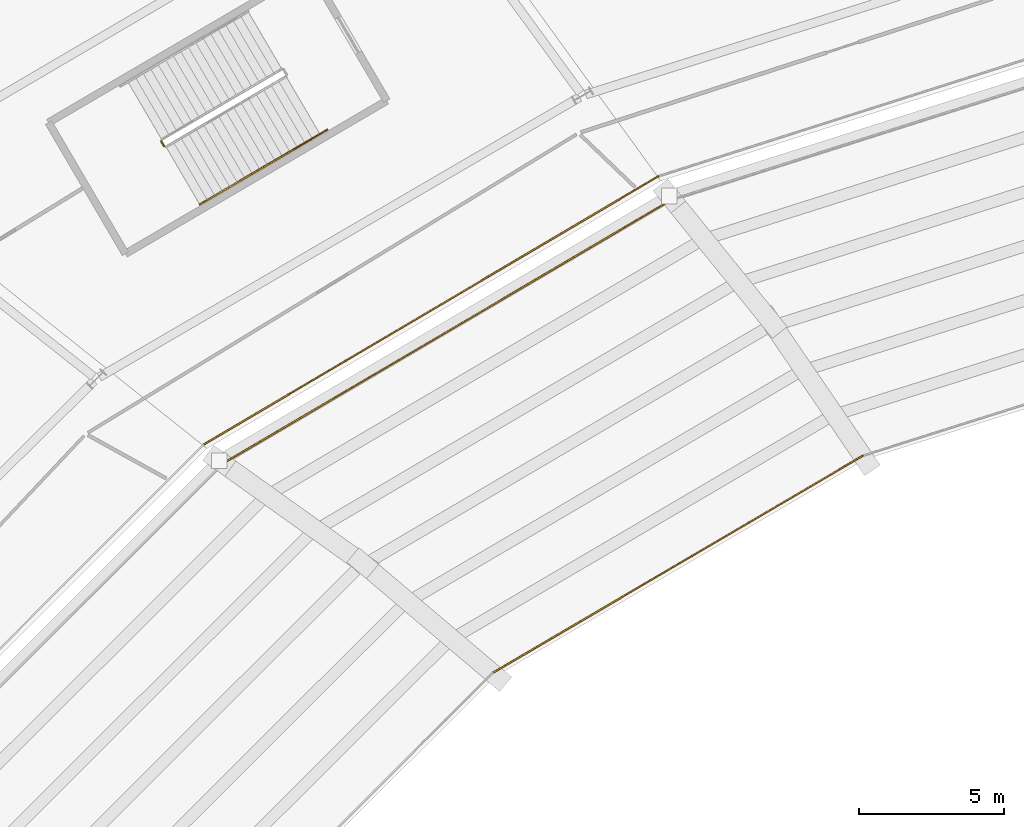
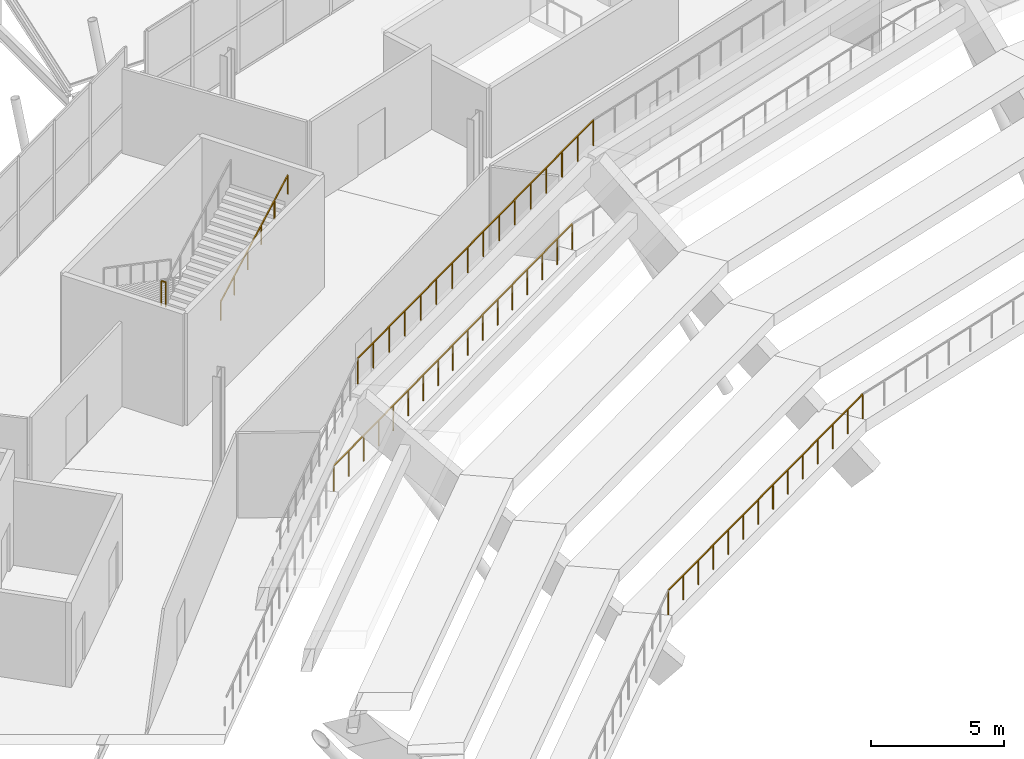
# One storey, part 115 of 126: 5 railings.
"""IFC4 building model written with IfcOpenShell, lengths in metres."""

from ifc_helpers import new_model, si_unit, direction, frame, origin, origin_2d, place, context, subcontext, project, spatial, rectangle, extrude, material, type_object, element, save


model = new_model("IFC4")

# Units and contexts
model_context = context("Model", 3, precision=1e-05, world=origin(), true_north=direction((0.0, 1.0)))
body_context = subcontext(model_context, "Body", "Model", "MODEL_VIEW")
ifc_project = project(units=[si_unit("LENGTHUNIT", "METRE"), si_unit("AREAUNIT", "SQUARE_METRE"), si_unit("VOLUMEUNIT", "CUBIC_METRE"), si_unit("PLANEANGLEUNIT", "RADIAN"), si_unit("MASSUNIT", "GRAM", prefix="KILO")], contexts=[model_context])

# Site, building, storey
site_placement = place(None, origin())
site = spatial("IfcSite", under=ifc_project, at=site_placement, CompositionType="ELEMENT")
building_placement = place(site_placement, origin())
building = spatial("IfcBuilding", under=site, at=building_placement, Name="Zlatoyarsky Gate Stadium", CompositionType="ELEMENT")
storey_placement = place(building_placement, frame((0.0, 0.0, 20.800048828125)))
storey = spatial("IfcBuildingStorey", under=building, at=storey_placement, Name="L04", CompositionType="ELEMENT", Elevation=20.800048828125)

# Railings
ifc_material_1 = material(Name="Galvanised steel sightline guardrail", Category="steel")
railing_type_1 = type_object("IfcRailingType", Name="BOWL FRONT SIGHTLINE GUARDRAIL 1150", PredefinedType="GUARDRAIL", material=ifc_material_1)
railing_1_placement = place(storey_placement, frame((80.175048828125, 120.8330078125, -4.400146484375)))
element("IfcRailing", 1, at=railing_1_placement, inside=storey, type_object=railing_type_1, Name="Upper bowl front guardrail 08", PredefinedType="GUARDRAIL", context=body_context, shape_type="SweptSolid", body=[
    extrude(rectangle(XDim=0.048095703125, YDim=0.048095703125, at=origin_2d()), frame((0.0, 0.0, 1.1259765625), z_axis=(-0.862456472838, -0.506131240351, 0.0), x_axis=(0.506131240351, -0.862456472838, 0.0)), (0.0, 0.0, 1.0), 14.80419921875),
    extrude(rectangle(XDim=0.0419921875, YDim=0.0419921875, at=origin_2d()), origin(), (0.0, 0.0, 1.0), 1.101806640625),
    extrude(rectangle(XDim=0.0419921875, YDim=0.0419921875, at=origin_2d()), frame((-0.982177734375, -0.576416015625, 0.0)), (0.0, 0.0, 1.0), 1.101806640625),
    extrude(rectangle(XDim=0.0419921875, YDim=0.0419921875, at=origin_2d()), frame((-1.96435546875, -1.15283203125, 0.0)), (0.0, 0.0, 1.0), 1.101806640625),
    extrude(rectangle(XDim=0.0419921875, YDim=0.0419921875, at=origin_2d()), frame((-2.946533203125, -1.729248046875, 0.0)), (0.0, 0.0, 1.0), 1.101806640625),
    extrude(rectangle(XDim=0.0419921875, YDim=0.0419921875, at=origin_2d()), frame((-3.9287109375, -2.305419921875, 0.0)), (0.0, 0.0, 1.0), 1.101806640625),
    extrude(rectangle(XDim=0.0419921875, YDim=0.0419921875, at=origin_2d()), frame((-4.910888671875, -2.8818359375, 0.0)), (0.0, 0.0, 1.0), 1.101806640625),
    extrude(rectangle(XDim=0.0419921875, YDim=0.0419921875, at=origin_2d()), frame((-5.89306640625, -3.458251953125, 0.0)), (0.0, 0.0, 1.0), 1.101806640625),
    extrude(rectangle(XDim=0.0419921875, YDim=0.0419921875, at=origin_2d()), frame((-6.875, -4.03466796875, 0.0)), (0.0, 0.0, 1.0), 1.101806640625),
    extrude(rectangle(XDim=0.0419921875, YDim=0.0419921875, at=origin_2d()), frame((-7.857177734375, -4.611083984375, 0.0)), (0.0, 0.0, 1.0), 1.101806640625),
    extrude(rectangle(XDim=0.0419921875, YDim=0.0419921875, at=origin_2d()), frame((-8.83935546875, -5.1875, 0.0)), (0.0, 0.0, 1.0), 1.101806640625),
    extrude(rectangle(XDim=0.0419921875, YDim=0.0419921875, at=origin_2d()), frame((-9.821533203125, -5.763671875, 0.0)), (0.0, 0.0, 1.0), 1.101806640625),
    extrude(rectangle(XDim=0.0419921875, YDim=0.0419921875, at=origin_2d()), frame((-10.8037109375, -6.340087890625, 0.0)), (0.0, 0.0, 1.0), 1.101806640625),
    extrude(rectangle(XDim=0.0419921875, YDim=0.0419921875, at=origin_2d()), frame((-11.785888671875, -6.91650390625, 0.0)), (0.0, 0.0, 1.0), 1.101806640625),
    extrude(rectangle(XDim=0.0419921875, YDim=0.0419921875, at=origin_2d()), frame((-12.76806640625, -7.492919921875, 0.0)), (0.0, 0.0, 1.0), 1.101806640625),
])
ifc_material_2 = material(Name="Powder-coated steel tubular guardrail", Category="steel")
railing_type_2 = type_object("IfcRailingType", Name="CONCOURSE SLAB EDGE GUARDRAIL 1200", PredefinedType="GUARDRAIL", material=ifc_material_2)
railing_2_placement = place(storey_placement, frame((73.574951171875, 129.66650390625, 5.099853515625)))
element("IfcRailing", 2, at=railing_2_placement, inside=storey, type_object=railing_type_2, Name="Upper bowl back guardrail 08", PredefinedType="GUARDRAIL", context=body_context, shape_type="SweptSolid", body=[
    extrude(rectangle(XDim=0.048095703125, YDim=0.048095703125, at=origin_2d()), frame((0.0, 0.0, 1.17578125), z_axis=(-0.862050412529, -0.506822539217, 0.0), x_axis=(0.506822539217, -0.862050412529, 0.0)), (0.0, 0.0, 1.0), 17.982666015625),
    extrude(rectangle(XDim=0.0419921875, YDim=0.0419921875, at=origin_2d()), origin(), (0.0, 0.0, 1.0), 1.15185546875),
    extrude(rectangle(XDim=0.0419921875, YDim=0.0419921875, at=origin_2d()), frame((-1.033447265625, -0.607666015625, 0.0)), (0.0, 0.0, 1.0), 1.15185546875),
    extrude(rectangle(XDim=0.0419921875, YDim=0.0419921875, at=origin_2d()), frame((-2.06689453125, -1.215087890625, 0.0)), (0.0, 0.0, 1.0), 1.15185546875),
    extrude(rectangle(XDim=0.0419921875, YDim=0.0419921875, at=origin_2d()), frame((-3.100341796875, -1.82275390625, 0.0)), (0.0, 0.0, 1.0), 1.15185546875),
    extrude(rectangle(XDim=0.0419921875, YDim=0.0419921875, at=origin_2d()), frame((-4.1337890625, -2.430419921875, 0.0)), (0.0, 0.0, 1.0), 1.15185546875),
    extrude(rectangle(XDim=0.0419921875, YDim=0.0419921875, at=origin_2d()), frame((-5.167236328125, -3.0380859375, 0.0)), (0.0, 0.0, 1.0), 1.15185546875),
    extrude(rectangle(XDim=0.0419921875, YDim=0.0419921875, at=origin_2d()), frame((-6.20068359375, -3.6455078125, 0.0)), (0.0, 0.0, 1.0), 1.15185546875),
    extrude(rectangle(XDim=0.0419921875, YDim=0.0419921875, at=origin_2d()), frame((-7.234130859375, -4.253173828125, 0.0)), (0.0, 0.0, 1.0), 1.15185546875),
    extrude(rectangle(XDim=0.0419921875, YDim=0.0419921875, at=origin_2d()), frame((-8.267822265625, -4.86083984375, 0.0)), (0.0, 0.0, 1.0), 1.15185546875),
    extrude(rectangle(XDim=0.0419921875, YDim=0.0419921875, at=origin_2d()), frame((-9.30126953125, -5.468505859375, 0.0)), (0.0, 0.0, 1.0), 1.15185546875),
    extrude(rectangle(XDim=0.0419921875, YDim=0.0419921875, at=origin_2d()), frame((-10.334716796875, -6.075927734375, 0.0)), (0.0, 0.0, 1.0), 1.15185546875),
    extrude(rectangle(XDim=0.0419921875, YDim=0.0419921875, at=origin_2d()), frame((-11.3681640625, -6.68359375, 0.0)), (0.0, 0.0, 1.0), 1.15185546875),
    extrude(rectangle(XDim=0.0419921875, YDim=0.0419921875, at=origin_2d()), frame((-12.401611328125, -7.291259765625, 0.0)), (0.0, 0.0, 1.0), 1.15185546875),
    extrude(rectangle(XDim=0.0419921875, YDim=0.0419921875, at=origin_2d()), frame((-13.43505859375, -7.89892578125, 0.0)), (0.0, 0.0, 1.0), 1.15185546875),
    extrude(rectangle(XDim=0.0419921875, YDim=0.0419921875, at=origin_2d()), frame((-14.468505859375, -8.50634765625, 0.0)), (0.0, 0.0, 1.0), 1.15185546875),
    extrude(rectangle(XDim=0.0419921875, YDim=0.0419921875, at=origin_2d()), frame((-15.501953125, -9.114013671875, 0.0)), (0.0, 0.0, 1.0), 1.15185546875),
])
railing_3_placement = place(storey_placement, frame((73.110107421875, 130.471923828125, 0.0)))
element("IfcRailing", 3, at=railing_3_placement, inside=storey, type_object=railing_type_2, Name="L04 inner bowl edge guardrail 08", PredefinedType="GUARDRAIL", context=body_context, shape_type="SweptSolid", body=[
    extrude(rectangle(XDim=0.048095703125, YDim=0.048095703125, at=origin_2d()), frame((0.0, 0.0, 1.17578125), z_axis=(-0.861226688102, -0.508221006749, 0.0), x_axis=(0.508221006749, -0.861226688102, 0.0)), (0.0, 0.0, 1.0), 18.223876953125),
    extrude(rectangle(XDim=0.0419921875, YDim=0.0419921875, at=origin_2d()), origin(), (0.0, 0.0, 1.0), 1.15185546875),
    extrude(rectangle(XDim=0.0419921875, YDim=0.0419921875, at=origin_2d()), frame((-0.98095703125, -0.578857421875, 0.0)), (0.0, 0.0, 1.0), 1.15185546875),
    extrude(rectangle(XDim=0.0419921875, YDim=0.0419921875, at=origin_2d()), frame((-1.9619140625, -1.15771484375, 0.0)), (0.0, 0.0, 1.0), 1.15185546875),
    extrude(rectangle(XDim=0.0419921875, YDim=0.0419921875, at=origin_2d()), frame((-2.94287109375, -1.736572265625, 0.0)), (0.0, 0.0, 1.0), 1.15185546875),
    extrude(rectangle(XDim=0.0419921875, YDim=0.0419921875, at=origin_2d()), frame((-3.923828125, -2.3154296875, 0.0)), (0.0, 0.0, 1.0), 1.15185546875),
    extrude(rectangle(XDim=0.0419921875, YDim=0.0419921875, at=origin_2d()), frame((-4.904541015625, -2.894287109375, 0.0)), (0.0, 0.0, 1.0), 1.15185546875),
    extrude(rectangle(XDim=0.0419921875, YDim=0.0419921875, at=origin_2d()), frame((-5.885498046875, -3.47314453125, 0.0)), (0.0, 0.0, 1.0), 1.15185546875),
    extrude(rectangle(XDim=0.0419921875, YDim=0.0419921875, at=origin_2d()), frame((-6.866455078125, -4.052001953125, 0.0)), (0.0, 0.0, 1.0), 1.15185546875),
    extrude(rectangle(XDim=0.0419921875, YDim=0.0419921875, at=origin_2d()), frame((-7.847412109375, -4.630859375, 0.0)), (0.0, 0.0, 1.0), 1.15185546875),
    extrude(rectangle(XDim=0.0419921875, YDim=0.0419921875, at=origin_2d()), frame((-8.828369140625, -5.209716796875, 0.0)), (0.0, 0.0, 1.0), 1.15185546875),
    extrude(rectangle(XDim=0.0419921875, YDim=0.0419921875, at=origin_2d()), frame((-9.809326171875, -5.78857421875, 0.0)), (0.0, 0.0, 1.0), 1.15185546875),
    extrude(rectangle(XDim=0.0419921875, YDim=0.0419921875, at=origin_2d()), frame((-10.790283203125, -6.367431640625, 0.0)), (0.0, 0.0, 1.0), 1.15185546875),
    extrude(rectangle(XDim=0.0419921875, YDim=0.0419921875, at=origin_2d()), frame((-11.77099609375, -6.9462890625, 0.0)), (0.0, 0.0, 1.0), 1.15185546875),
    extrude(rectangle(XDim=0.0419921875, YDim=0.0419921875, at=origin_2d()), frame((-12.751953125, -7.525146484375, 0.0)), (0.0, 0.0, 1.0), 1.15185546875),
    extrude(rectangle(XDim=0.0419921875, YDim=0.0419921875, at=origin_2d()), frame((-13.73291015625, -8.10400390625, 0.0)), (0.0, 0.0, 1.0), 1.15185546875),
    extrude(rectangle(XDim=0.0419921875, YDim=0.0419921875, at=origin_2d()), frame((-14.7138671875, -8.682861328125, 0.0)), (0.0, 0.0, 1.0), 1.15185546875),
    extrude(rectangle(XDim=0.0419921875, YDim=0.0419921875, at=origin_2d()), frame((-15.69482421875, -9.26171875, 0.0)), (0.0, 0.0, 1.0), 1.15185546875),
])
ifc_material_3 = material(Name="Powder-coated steel stair guardrail", Category="steel")
railing_type_3 = type_object("IfcRailingType", Name="PAINTED STEEL STAIR WELL GUARDRAIL 1150", PredefinedType="GUARDRAIL", material=ifc_material_3)
railing_4_placement = place(storey_placement, frame((55.962646484375, 131.68212890625, 2.699951171875)))
element("IfcRailing", 4, at=railing_4_placement, inside=storey, type_object=railing_type_3, Name="ST-05 L04 stair guard 2", PredefinedType="GUARDRAIL", context=body_context, shape_type="SweptSolid", body=[
    extrude(rectangle(XDim=0.048095703125, YDim=0.048095703125, at=origin_2d()), frame((0.0, 0.0, 1.1259765625), z_axis=(0.505312229679, -0.862936585467, 0.0), x_axis=(0.862936585467, 0.505312229679, 0.0)), (0.0, 0.0, 1.0), 0.199951171875),
    extrude(rectangle(XDim=0.0419921875, YDim=0.0419921875, at=origin_2d()), origin(), (0.0, 0.0, 1.0), 1.101806640625),
    extrude(rectangle(XDim=0.0419921875, YDim=0.0419921875, at=origin_2d()), frame((0.10107421875, -0.172607421875, 0.0)), (0.0, 0.0, 1.0), 1.101806640625),
])
ifc_material_4 = material(Name="Brushed stainless steel 316 handrail", Category="steel")
railing_type_4 = type_object("IfcRailingType", Name="STAINLESS STEEL TUBULAR HANDRAIL 900", PredefinedType="HANDRAIL", material=ifc_material_4)
railing_5_placement = place(storey_placement, frame((57.294677734375, 129.507080078125, 2.86279296875)))
element("IfcRailing", 5, at=railing_5_placement, inside=storey, type_object=railing_type_4, Name="ST-05 L04 stair handrail 2", PredefinedType="HANDRAIL", context=body_context, shape_type="SweptSolid", body=[
    extrude(rectangle(XDim=0.048095703125, YDim=0.048095703125, at=origin_2d()), frame((0.0, 0.0, 0.8759765625), z_axis=(0.762584619125, 0.446720166066, 0.467873692255), x_axis=(-0.505456573929, 0.862852045181, 0.0)), (0.0, 0.0, 1.0), 5.770751953125),
    extrude(rectangle(XDim=0.0419921875, YDim=0.0419921875, at=origin_2d()), origin(), (0.0, 0.0, 1.0), 0.851806640625),
    extrude(rectangle(XDim=0.0419921875, YDim=0.0419921875, at=origin_2d()), frame((0.880126953125, 0.515625, 0.5400390625)), (0.0, 0.0, 1.0), 0.851806640625),
    extrude(rectangle(XDim=0.0419921875, YDim=0.0419921875, at=origin_2d()), frame((1.76025390625, 1.03125, 1.080078125)), (0.0, 0.0, 1.0), 0.851806640625),
    extrude(rectangle(XDim=0.0419921875, YDim=0.0419921875, at=origin_2d()), frame((2.640380859375, 1.546630859375, 1.619873046875)), (0.0, 0.0, 1.0), 0.851806640625),
    extrude(rectangle(XDim=0.0419921875, YDim=0.0419921875, at=origin_2d()), frame((3.5205078125, 2.062255859375, 2.159912109375)), (0.0, 0.0, 1.0), 0.851806640625),
    extrude(rectangle(XDim=0.0419921875, YDim=0.0419921875, at=origin_2d()), frame((4.400634765625, 2.577880859375, 2.699951171875)), (0.0, 0.0, 1.0), 0.851806640625),
])

save(model, "model.ifc")
